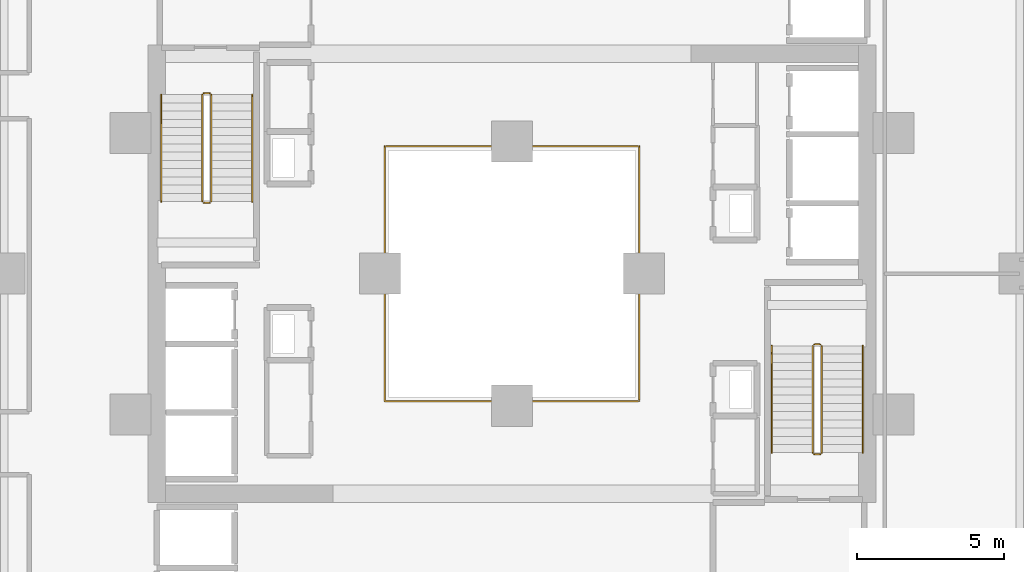
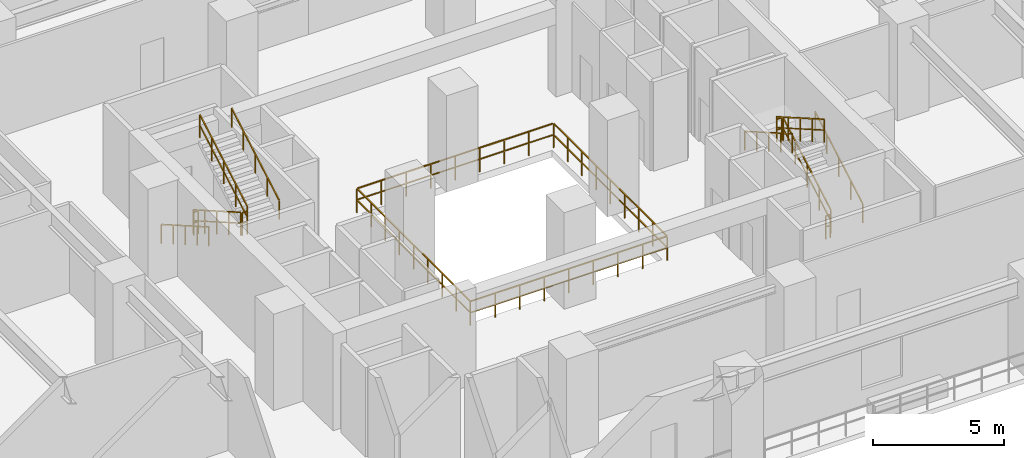
# One storey, part 22 of 22: 13 railings.
"""IFC4 building model written with IfcOpenShell, lengths in metres."""

from ifc_helpers import new_model, si_unit, direction, frame, origin, origin_2d, place, context, subcontext, project, spatial, rectangle, extrude, material, type_object, element, save


model = new_model("IFC4")

# Units and contexts
model_context = context("Model", 3, precision=1e-05, world=origin(), true_north=direction((0.0, 1.0)))
body_context = subcontext(model_context, "Body", "Model", "MODEL_VIEW")
ifc_project = project(units=[si_unit("LENGTHUNIT", "METRE"), si_unit("AREAUNIT", "SQUARE_METRE"), si_unit("VOLUMEUNIT", "CUBIC_METRE"), si_unit("PLANEANGLEUNIT", "RADIAN"), si_unit("MASSUNIT", "GRAM", prefix="KILO")], contexts=[model_context])

# Site, building, storey
site_placement = place(None, origin())
site = spatial("IfcSite", under=ifc_project, at=site_placement, CompositionType="ELEMENT")
building_placement = place(site_placement, origin())
building = spatial("IfcBuilding", under=site, at=building_placement, Name="Thornwick Lancets Civic Towers", CompositionType="ELEMENT")
storey_placement = place(building_placement, frame((0.0, 0.0, 18.60009765625)))
storey = spatial("IfcBuildingStorey", under=building, at=storey_placement, Name="L04", CompositionType="ELEMENT", Elevation=18.60009765625)

# Railings
ifc_material_1 = material(Name="Laminated glass and bronze steel S355", Category="steel")
railing_type_1 = type_object("IfcRailingType", Name="RAIL_ATRIUM_GUARD", PredefinedType="BALUSTRADE", material=ifc_material_1)
railing_1_placement = place(storey_placement, frame((84.159912109375, 22.659912109375, 0.0)))
element("IfcRailing", 1, at=railing_1_placement, inside=storey, type_object=railing_type_1, Name="L04 Tower B Central Atrium Guard Balustrade", PredefinedType="BALUSTRADE", context=body_context, shape_type="SweptSolid", body=[
    extrude(rectangle(XDim=0.048095703125, YDim=0.048095703125, at=origin_2d()), frame((0.0, 0.0, 1.1259765625), z_axis=(1.0, 0.0, 0.0), x_axis=(0.0, 1.0, 0.0)), (0.0, 0.0, 1.0), 8.64892578125),
    extrude(rectangle(XDim=0.0419921875, YDim=0.0419921875, at=origin_2d()), frame((0.03759765625, 0.0, 0.597900390625), z_axis=(1.0, 0.0, 0.0), x_axis=(0.0, 1.0, 0.0)), (0.0, 0.0, 1.0), 1.010009765625),
    extrude(rectangle(XDim=0.0419921875, YDim=0.0419921875, at=origin_2d()), frame((1.12255859375, 0.0, 0.597900390625), z_axis=(1.0, 0.0, 0.0), x_axis=(0.0, 1.0, 0.0)), (0.0, 0.0, 1.0), 1.010009765625),
    extrude(rectangle(XDim=0.0419921875, YDim=0.0419921875, at=origin_2d()), frame((2.20751953125, 0.0, 0.597900390625), z_axis=(1.0, 0.0, 0.0), x_axis=(0.0, 1.0, 0.0)), (0.0, 0.0, 1.0), 1.010009765625),
    extrude(rectangle(XDim=0.0419921875, YDim=0.0419921875, at=origin_2d()), frame((3.29248046875, 0.0, 0.597900390625), z_axis=(1.0, 0.0, 0.0), x_axis=(0.0, 1.0, 0.0)), (0.0, 0.0, 1.0), 1.010009765625),
    extrude(rectangle(XDim=0.0419921875, YDim=0.0419921875, at=origin_2d()), frame((4.377685546875, 0.0, 0.597900390625), z_axis=(1.0, 0.0, 0.0), x_axis=(0.0, 1.0, 0.0)), (0.0, 0.0, 1.0), 1.010009765625),
    extrude(rectangle(XDim=0.0419921875, YDim=0.0419921875, at=origin_2d()), frame((5.462646484375, 0.0, 0.597900390625), z_axis=(1.0, 0.0, 0.0), x_axis=(0.0, 1.0, 0.0)), (0.0, 0.0, 1.0), 1.010009765625),
    extrude(rectangle(XDim=0.0419921875, YDim=0.0419921875, at=origin_2d()), frame((6.547607421875, 0.0, 0.597900390625), z_axis=(1.0, 0.0, 0.0), x_axis=(0.0, 1.0, 0.0)), (0.0, 0.0, 1.0), 1.010009765625),
    extrude(rectangle(XDim=0.0419921875, YDim=0.0419921875, at=origin_2d()), frame((7.632568359375, 0.0, 0.597900390625), z_axis=(1.0, 0.0, 0.0), x_axis=(0.0, 1.0, 0.0)), (0.0, 0.0, 1.0), 1.010009765625),
    extrude(rectangle(XDim=0.048095703125, YDim=0.048095703125, at=origin_2d()), frame((8.68017578125, 0.03125, 1.1259765625), z_axis=(0.0, 1.0, 0.0), x_axis=(-1.0, 0.0, 0.0)), (0.0, 0.0, 1.0), 8.61767578125),
    extrude(rectangle(XDim=0.0419921875, YDim=0.0419921875, at=origin_2d()), frame((8.68017578125, 0.03759765625, 0.597900390625), z_axis=(0.0, 1.0, 0.0), x_axis=(-1.0, 0.0, 0.0)), (0.0, 0.0, 1.0), 1.010009765625),
    extrude(rectangle(XDim=0.0419921875, YDim=0.0419921875, at=origin_2d()), frame((8.68017578125, 1.12255859375, 0.597900390625), z_axis=(0.0, 1.0, 0.0), x_axis=(-1.0, 0.0, 0.0)), (0.0, 0.0, 1.0), 1.010009765625),
    extrude(rectangle(XDim=0.0419921875, YDim=0.0419921875, at=origin_2d()), frame((8.68017578125, 2.20751953125, 0.597900390625), z_axis=(0.0, 1.0, 0.0), x_axis=(-1.0, 0.0, 0.0)), (0.0, 0.0, 1.0), 1.010009765625),
    extrude(rectangle(XDim=0.0419921875, YDim=0.0419921875, at=origin_2d()), frame((8.68017578125, 3.29248046875, 0.597900390625), z_axis=(0.0, 1.0, 0.0), x_axis=(-1.0, 0.0, 0.0)), (0.0, 0.0, 1.0), 1.010009765625),
    extrude(rectangle(XDim=0.0419921875, YDim=0.0419921875, at=origin_2d()), frame((8.68017578125, 4.377685546875, 0.597900390625), z_axis=(0.0, 1.0, 0.0), x_axis=(-1.0, 0.0, 0.0)), (0.0, 0.0, 1.0), 1.010009765625),
    extrude(rectangle(XDim=0.0419921875, YDim=0.0419921875, at=origin_2d()), frame((8.68017578125, 5.462646484375, 0.597900390625), z_axis=(0.0, 1.0, 0.0), x_axis=(-1.0, 0.0, 0.0)), (0.0, 0.0, 1.0), 1.010009765625),
    extrude(rectangle(XDim=0.0419921875, YDim=0.0419921875, at=origin_2d()), frame((8.68017578125, 6.547607421875, 0.597900390625), z_axis=(0.0, 1.0, 0.0), x_axis=(-1.0, 0.0, 0.0)), (0.0, 0.0, 1.0), 1.010009765625),
    extrude(rectangle(XDim=0.0419921875, YDim=0.0419921875, at=origin_2d()), frame((8.68017578125, 7.632568359375, 0.597900390625), z_axis=(0.0, 1.0, 0.0), x_axis=(-1.0, 0.0, 0.0)), (0.0, 0.0, 1.0), 1.010009765625),
    extrude(rectangle(XDim=0.048095703125, YDim=0.048095703125, at=origin_2d()), frame((8.64892578125, 8.68017578125, 1.1259765625), z_axis=(-1.0, 0.0, 0.0), x_axis=(0.0, -1.0, 0.0)), (0.0, 0.0, 1.0), 8.61767578125),
    extrude(rectangle(XDim=0.0419921875, YDim=0.0419921875, at=origin_2d()), frame((8.642578125, 8.68017578125, 0.597900390625), z_axis=(-1.0, 0.0, 0.0), x_axis=(0.0, -1.0, 0.0)), (0.0, 0.0, 1.0), 1.010009765625),
    extrude(rectangle(XDim=0.0419921875, YDim=0.0419921875, at=origin_2d()), frame((7.5576171875, 8.68017578125, 0.597900390625), z_axis=(-1.0, 0.0, 0.0), x_axis=(0.0, -1.0, 0.0)), (0.0, 0.0, 1.0), 1.010009765625),
    extrude(rectangle(XDim=0.0419921875, YDim=0.0419921875, at=origin_2d()), frame((6.47265625, 8.68017578125, 0.597900390625), z_axis=(-1.0, 0.0, 0.0), x_axis=(0.0, -1.0, 0.0)), (0.0, 0.0, 1.0), 1.010009765625),
    extrude(rectangle(XDim=0.0419921875, YDim=0.0419921875, at=origin_2d()), frame((5.3876953125, 8.68017578125, 0.597900390625), z_axis=(-1.0, 0.0, 0.0), x_axis=(0.0, -1.0, 0.0)), (0.0, 0.0, 1.0), 1.010009765625),
    extrude(rectangle(XDim=0.0419921875, YDim=0.0419921875, at=origin_2d()), frame((4.302490234375, 8.68017578125, 0.597900390625), z_axis=(-1.0, 0.0, 0.0), x_axis=(0.0, -1.0, 0.0)), (0.0, 0.0, 1.0), 1.010009765625),
    extrude(rectangle(XDim=0.0419921875, YDim=0.0419921875, at=origin_2d()), frame((3.217529296875, 8.68017578125, 0.597900390625), z_axis=(-1.0, 0.0, 0.0), x_axis=(0.0, -1.0, 0.0)), (0.0, 0.0, 1.0), 1.010009765625),
    extrude(rectangle(XDim=0.0419921875, YDim=0.0419921875, at=origin_2d()), frame((2.132568359375, 8.68017578125, 0.597900390625), z_axis=(-1.0, 0.0, 0.0), x_axis=(0.0, -1.0, 0.0)), (0.0, 0.0, 1.0), 1.010009765625),
    extrude(rectangle(XDim=0.0419921875, YDim=0.0419921875, at=origin_2d()), frame((1.047607421875, 8.68017578125, 0.597900390625), z_axis=(-1.0, 0.0, 0.0), x_axis=(0.0, -1.0, 0.0)), (0.0, 0.0, 1.0), 1.010009765625),
    extrude(rectangle(XDim=0.048095703125, YDim=0.048095703125, at=origin_2d()), frame((0.0, 8.64892578125, 1.1259765625), z_axis=(0.0, -1.0, 0.0), x_axis=(1.0, 0.0, 0.0)), (0.0, 0.0, 1.0), 8.64892578125),
    extrude(rectangle(XDim=0.0419921875, YDim=0.0419921875, at=origin_2d()), frame((0.0, 8.642578125, 0.597900390625), z_axis=(0.0, -1.0, 0.0), x_axis=(1.0, 0.0, 0.0)), (0.0, 0.0, 1.0), 1.010009765625),
    extrude(rectangle(XDim=0.0419921875, YDim=0.0419921875, at=origin_2d()), frame((0.0, 7.5576171875, 0.597900390625), z_axis=(0.0, -1.0, 0.0), x_axis=(1.0, 0.0, 0.0)), (0.0, 0.0, 1.0), 1.010009765625),
    extrude(rectangle(XDim=0.0419921875, YDim=0.0419921875, at=origin_2d()), frame((0.0, 6.47265625, 0.597900390625), z_axis=(0.0, -1.0, 0.0), x_axis=(1.0, 0.0, 0.0)), (0.0, 0.0, 1.0), 1.010009765625),
    extrude(rectangle(XDim=0.0419921875, YDim=0.0419921875, at=origin_2d()), frame((0.0, 5.3876953125, 0.597900390625), z_axis=(0.0, -1.0, 0.0), x_axis=(1.0, 0.0, 0.0)), (0.0, 0.0, 1.0), 1.010009765625),
    extrude(rectangle(XDim=0.0419921875, YDim=0.0419921875, at=origin_2d()), frame((0.0, 4.302490234375, 0.597900390625), z_axis=(0.0, -1.0, 0.0), x_axis=(1.0, 0.0, 0.0)), (0.0, 0.0, 1.0), 1.010009765625),
    extrude(rectangle(XDim=0.0419921875, YDim=0.0419921875, at=origin_2d()), frame((0.0, 3.217529296875, 0.597900390625), z_axis=(0.0, -1.0, 0.0), x_axis=(1.0, 0.0, 0.0)), (0.0, 0.0, 1.0), 1.010009765625),
    extrude(rectangle(XDim=0.0419921875, YDim=0.0419921875, at=origin_2d()), frame((0.0, 2.132568359375, 0.597900390625), z_axis=(0.0, -1.0, 0.0), x_axis=(1.0, 0.0, 0.0)), (0.0, 0.0, 1.0), 1.010009765625),
    extrude(rectangle(XDim=0.0419921875, YDim=0.0419921875, at=origin_2d()), frame((0.0, 1.047607421875, 0.597900390625), z_axis=(0.0, -1.0, 0.0), x_axis=(1.0, 0.0, 0.0)), (0.0, 0.0, 1.0), 1.010009765625),
    extrude(rectangle(XDim=0.0419921875, YDim=0.0419921875, at=origin_2d()), origin(), (0.0, 0.0, 1.0), 1.095703125),
    extrude(rectangle(XDim=0.0419921875, YDim=0.0419921875, at=origin_2d()), frame((1.0849609375, 0.0, 0.0)), (0.0, 0.0, 1.0), 1.095703125),
    extrude(rectangle(XDim=0.0419921875, YDim=0.0419921875, at=origin_2d()), frame((2.169921875, 0.0, 0.0)), (0.0, 0.0, 1.0), 1.095703125),
    extrude(rectangle(XDim=0.0419921875, YDim=0.0419921875, at=origin_2d()), frame((3.255126953125, 0.0, 0.0)), (0.0, 0.0, 1.0), 1.095703125),
    extrude(rectangle(XDim=0.0419921875, YDim=0.0419921875, at=origin_2d()), frame((4.340087890625, 0.0, 0.0)), (0.0, 0.0, 1.0), 1.095703125),
    extrude(rectangle(XDim=0.0419921875, YDim=0.0419921875, at=origin_2d()), frame((5.425048828125, 0.0, 0.0)), (0.0, 0.0, 1.0), 1.095703125),
    extrude(rectangle(XDim=0.0419921875, YDim=0.0419921875, at=origin_2d()), frame((6.51025390625, 0.0, 0.0)), (0.0, 0.0, 1.0), 1.095703125),
    extrude(rectangle(XDim=0.0419921875, YDim=0.0419921875, at=origin_2d()), frame((7.59521484375, 0.0, 0.0)), (0.0, 0.0, 1.0), 1.095703125),
    extrude(rectangle(XDim=0.0419921875, YDim=0.0419921875, at=origin_2d()), frame((8.68017578125, 0.0, 0.0)), (0.0, 0.0, 1.0), 1.095703125),
    extrude(rectangle(XDim=0.0419921875, YDim=0.0419921875, at=origin_2d()), frame((8.68017578125, 1.0849609375, 0.0)), (0.0, 0.0, 1.0), 1.095703125),
    extrude(rectangle(XDim=0.0419921875, YDim=0.0419921875, at=origin_2d()), frame((8.68017578125, 2.169921875, 0.0)), (0.0, 0.0, 1.0), 1.095703125),
    extrude(rectangle(XDim=0.0419921875, YDim=0.0419921875, at=origin_2d()), frame((8.68017578125, 3.255126953125, 0.0)), (0.0, 0.0, 1.0), 1.095703125),
    extrude(rectangle(XDim=0.0419921875, YDim=0.0419921875, at=origin_2d()), frame((8.68017578125, 4.340087890625, 0.0)), (0.0, 0.0, 1.0), 1.095703125),
    extrude(rectangle(XDim=0.0419921875, YDim=0.0419921875, at=origin_2d()), frame((8.68017578125, 5.425048828125, 0.0)), (0.0, 0.0, 1.0), 1.095703125),
    extrude(rectangle(XDim=0.0419921875, YDim=0.0419921875, at=origin_2d()), frame((8.68017578125, 6.51025390625, 0.0)), (0.0, 0.0, 1.0), 1.095703125),
    extrude(rectangle(XDim=0.0419921875, YDim=0.0419921875, at=origin_2d()), frame((8.68017578125, 7.59521484375, 0.0)), (0.0, 0.0, 1.0), 1.095703125),
    extrude(rectangle(XDim=0.0419921875, YDim=0.0419921875, at=origin_2d()), frame((8.68017578125, 8.68017578125, 0.0)), (0.0, 0.0, 1.0), 1.095703125),
    extrude(rectangle(XDim=0.0419921875, YDim=0.0419921875, at=origin_2d()), frame((7.59521484375, 8.68017578125, 0.0)), (0.0, 0.0, 1.0), 1.095703125),
    extrude(rectangle(XDim=0.0419921875, YDim=0.0419921875, at=origin_2d()), frame((6.51025390625, 8.68017578125, 0.0)), (0.0, 0.0, 1.0), 1.095703125),
    extrude(rectangle(XDim=0.0419921875, YDim=0.0419921875, at=origin_2d()), frame((5.425048828125, 8.68017578125, 0.0)), (0.0, 0.0, 1.0), 1.095703125),
    extrude(rectangle(XDim=0.0419921875, YDim=0.0419921875, at=origin_2d()), frame((4.340087890625, 8.68017578125, 0.0)), (0.0, 0.0, 1.0), 1.095703125),
    extrude(rectangle(XDim=0.0419921875, YDim=0.0419921875, at=origin_2d()), frame((3.255126953125, 8.68017578125, 0.0)), (0.0, 0.0, 1.0), 1.095703125),
    extrude(rectangle(XDim=0.0419921875, YDim=0.0419921875, at=origin_2d()), frame((2.169921875, 8.68017578125, 0.0)), (0.0, 0.0, 1.0), 1.095703125),
    extrude(rectangle(XDim=0.0419921875, YDim=0.0419921875, at=origin_2d()), frame((1.0849609375, 8.68017578125, 0.0)), (0.0, 0.0, 1.0), 1.095703125),
    extrude(rectangle(XDim=0.0419921875, YDim=0.0419921875, at=origin_2d()), frame((0.0, 8.68017578125, 0.0)), (0.0, 0.0, 1.0), 1.095703125),
    extrude(rectangle(XDim=0.0419921875, YDim=0.0419921875, at=origin_2d()), frame((0.0, 7.59521484375, 0.0)), (0.0, 0.0, 1.0), 1.095703125),
    extrude(rectangle(XDim=0.0419921875, YDim=0.0419921875, at=origin_2d()), frame((0.0, 6.51025390625, 0.0)), (0.0, 0.0, 1.0), 1.095703125),
    extrude(rectangle(XDim=0.0419921875, YDim=0.0419921875, at=origin_2d()), frame((0.0, 5.425048828125, 0.0)), (0.0, 0.0, 1.0), 1.095703125),
    extrude(rectangle(XDim=0.0419921875, YDim=0.0419921875, at=origin_2d()), frame((0.0, 4.340087890625, 0.0)), (0.0, 0.0, 1.0), 1.095703125),
    extrude(rectangle(XDim=0.0419921875, YDim=0.0419921875, at=origin_2d()), frame((0.0, 3.255126953125, 0.0)), (0.0, 0.0, 1.0), 1.095703125),
    extrude(rectangle(XDim=0.0419921875, YDim=0.0419921875, at=origin_2d()), frame((0.0, 2.169921875, 0.0)), (0.0, 0.0, 1.0), 1.095703125),
    extrude(rectangle(XDim=0.0419921875, YDim=0.0419921875, at=origin_2d()), frame((0.0, 1.0849609375, 0.0)), (0.0, 0.0, 1.0), 1.095703125),
])
ifc_material_2 = material(Name="Brushed stainless steel S355", Category="steel")
railing_type_2 = type_object("IfcRailingType", Name="RAIL_HANDRAIL", PredefinedType="HANDRAIL", material=ifc_material_2)
railing_2_placement = place(storey_placement, frame((100.449951171875, 20.89990234375, 0.16064453125)))
element("IfcRailing", 2, at=railing_2_placement, inside=storey, type_object=railing_type_2, Name="L04 ST-B1 stair handrail 1", PredefinedType="HANDRAIL", context=body_context, shape_type="SweptSolid", body=[
    extrude(rectangle(XDim=0.048095703125, YDim=0.048095703125, at=origin_2d()), frame((0.0, 0.0, 0.8857421875), z_axis=(0.0, 0.867289372828, 0.497804322781), x_axis=(-1.0, 0.0, 0.0)), (0.0, 0.0, 1.0), 4.197021484375),
    extrude(rectangle(XDim=0.0419921875, YDim=0.0419921875, at=origin_2d()), origin(), (0.0, 0.0, 1.0), 0.855712890625),
    extrude(rectangle(XDim=0.0419921875, YDim=0.0419921875, at=origin_2d()), frame((0.0, 0.91015625, 0.5224609375)), (0.0, 0.0, 1.0), 0.855712890625),
    extrude(rectangle(XDim=0.0419921875, YDim=0.0419921875, at=origin_2d()), frame((0.0, 1.820068359375, 1.044677734375)), (0.0, 0.0, 1.0), 0.855712890625),
    extrude(rectangle(XDim=0.0419921875, YDim=0.0419921875, at=origin_2d()), frame((0.0, 2.72998046875, 1.56689453125)), (0.0, 0.0, 1.0), 0.855712890625),
    extrude(rectangle(XDim=0.0419921875, YDim=0.0419921875, at=origin_2d()), frame((0.0, 3.64013671875, 2.08935546875)), (0.0, 0.0, 1.0), 0.855712890625),
])
for number, where, name in (
    (3, (97.35009765625, 24.5400390625, 2.41064453125), "L04 ST-B1 stair handrail 2"),
    (4, (76.550048828125, 33.10009765625, 0.16064453125), "L04 ST-B2 stair handrail 1"),
):
    element("IfcRailing", number, at=place(storey_placement, frame(where)), inside=storey, type_object=railing_type_2, Name=name, PredefinedType="HANDRAIL", context=body_context, shape_type="SweptSolid", body=[
        extrude(rectangle(XDim=0.048095703125, YDim=0.048095703125, at=origin_2d()), frame((0.0, 0.0, 0.8857421875), z_axis=(0.0, -0.867289372828, 0.497804322781), x_axis=(1.0, 0.0, 0.0)), (0.0, 0.0, 1.0), 4.197021484375),
        extrude(rectangle(XDim=0.0419921875, YDim=0.0419921875, at=origin_2d()), origin(), (0.0, 0.0, 1.0), 0.855712890625),
        extrude(rectangle(XDim=0.0419921875, YDim=0.0419921875, at=origin_2d()), frame((0.0, -0.91015625, 0.5224609375)), (0.0, 0.0, 1.0), 0.855712890625),
        extrude(rectangle(XDim=0.0419921875, YDim=0.0419921875, at=origin_2d()), frame((0.0, -1.820068359375, 1.044677734375)), (0.0, 0.0, 1.0), 0.855712890625),
        extrude(rectangle(XDim=0.0419921875, YDim=0.0419921875, at=origin_2d()), frame((0.0, -2.72998046875, 1.56689453125)), (0.0, 0.0, 1.0), 0.855712890625),
        extrude(rectangle(XDim=0.0419921875, YDim=0.0419921875, at=origin_2d()), frame((0.0, -3.64013671875, 2.08935546875)), (0.0, 0.0, 1.0), 0.855712890625),
    ])
railing_3_placement = place(storey_placement, frame((79.64990234375, 29.4599609375, 2.41064453125)))
element("IfcRailing", 5, at=railing_3_placement, inside=storey, type_object=railing_type_2, Name="L04 ST-B2 stair handrail 2", PredefinedType="HANDRAIL", context=body_context, shape_type="SweptSolid", body=[
    extrude(rectangle(XDim=0.048095703125, YDim=0.048095703125, at=origin_2d()), frame((0.0, 0.0, 0.8857421875), z_axis=(0.0, 0.867289372828, 0.497804322781), x_axis=(-1.0, 0.0, 0.0)), (0.0, 0.0, 1.0), 4.197021484375),
    extrude(rectangle(XDim=0.0419921875, YDim=0.0419921875, at=origin_2d()), origin(), (0.0, 0.0, 1.0), 0.855712890625),
    extrude(rectangle(XDim=0.0419921875, YDim=0.0419921875, at=origin_2d()), frame((0.0, 0.91015625, 0.5224609375)), (0.0, 0.0, 1.0), 0.855712890625),
    extrude(rectangle(XDim=0.0419921875, YDim=0.0419921875, at=origin_2d()), frame((0.0, 1.820068359375, 1.044677734375)), (0.0, 0.0, 1.0), 0.855712890625),
    extrude(rectangle(XDim=0.0419921875, YDim=0.0419921875, at=origin_2d()), frame((0.0, 2.72998046875, 1.56689453125)), (0.0, 0.0, 1.0), 0.855712890625),
    extrude(rectangle(XDim=0.0419921875, YDim=0.0419921875, at=origin_2d()), frame((0.0, 3.64013671875, 2.08935546875)), (0.0, 0.0, 1.0), 0.855712890625),
])
ifc_material_3 = material(Name="Steel S355JR", Category="steel")
railing_type_3 = type_object("IfcRailingType", Name="RAIL_STAIR_GUARD", PredefinedType="GUARDRAIL", material=ifc_material_3)
railing_4_placement = place(storey_placement, frame((99.050048828125, 20.89990234375, 0.16064453125)))
element("IfcRailing", 6, at=railing_4_placement, inside=storey, type_object=railing_type_3, Name="L04 ST-B1 stair guard 1", PredefinedType="GUARDRAIL", context=body_context, shape_type="SweptSolid", body=[
    extrude(rectangle(XDim=0.048095703125, YDim=0.048095703125, at=origin_2d()), frame((0.0, 0.0, 1.076171875), z_axis=(0.0, 0.867289372828, 0.497804322781), x_axis=(-1.0, 0.0, 0.0)), (0.0, 0.0, 1.0), 4.197021484375),
    extrude(rectangle(XDim=0.0419921875, YDim=0.0419921875, at=origin_2d()), frame((0.0, 0.032470703125, 0.5908203125), z_axis=(0.0, 0.867289372828, 0.497804322781), x_axis=(-1.0, 0.0, 0.0)), (0.0, 0.0, 1.0), 0.974365234375),
    extrude(rectangle(XDim=0.0419921875, YDim=0.0419921875, at=origin_2d()), frame((0.0, 0.942626953125, 1.113037109375), z_axis=(0.0, 0.867289372828, 0.497804322781), x_axis=(-1.0, 0.0, 0.0)), (0.0, 0.0, 1.0), 0.974365234375),
    extrude(rectangle(XDim=0.0419921875, YDim=0.0419921875, at=origin_2d()), frame((0.0, 1.8525390625, 1.635498046875), z_axis=(0.0, 0.867289372828, 0.497804322781), x_axis=(-1.0, 0.0, 0.0)), (0.0, 0.0, 1.0), 0.974365234375),
    extrude(rectangle(XDim=0.0419921875, YDim=0.0419921875, at=origin_2d()), frame((0.0, 2.7626953125, 2.15771484375), z_axis=(0.0, 0.867289372828, 0.497804322781), x_axis=(-1.0, 0.0, 0.0)), (0.0, 0.0, 1.0), 0.974365234375),
    extrude(rectangle(XDim=0.0419921875, YDim=0.0419921875, at=origin_2d()), origin(), (0.0, 0.0, 1.0), 1.0458984375),
    extrude(rectangle(XDim=0.0419921875, YDim=0.0419921875, at=origin_2d()), frame((0.0, 0.91015625, 0.5224609375)), (0.0, 0.0, 1.0), 1.0458984375),
    extrude(rectangle(XDim=0.0419921875, YDim=0.0419921875, at=origin_2d()), frame((0.0, 1.820068359375, 1.044677734375)), (0.0, 0.0, 1.0), 1.0458984375),
    extrude(rectangle(XDim=0.0419921875, YDim=0.0419921875, at=origin_2d()), frame((0.0, 2.72998046875, 1.56689453125)), (0.0, 0.0, 1.0), 1.0458984375),
    extrude(rectangle(XDim=0.0419921875, YDim=0.0419921875, at=origin_2d()), frame((0.0, 3.64013671875, 2.08935546875)), (0.0, 0.0, 1.0), 1.0458984375),
])
railing_5_placement = place(storey_placement, frame((99.0, 24.590087890625, 2.25)))
element("IfcRailing", 7, at=railing_5_placement, inside=storey, type_object=railing_type_3, Name="L04 ST-B1 stair guard 2", PredefinedType="GUARDRAIL", context=body_context, shape_type="SweptSolid", body=[
    extrude(rectangle(XDim=0.048095703125, YDim=0.048095703125, at=origin_2d()), frame((0.0, 0.0, 1.076171875), z_axis=(-1.0, 0.0, 0.0), x_axis=(0.0, -1.0, 0.0)), (0.0, 0.0, 1.0), 0.199951171875),
    extrude(rectangle(XDim=0.0419921875, YDim=0.0419921875, at=origin_2d()), frame((-0.03759765625, 0.0, 0.572021484375), z_axis=(-1.0, 0.0, 0.0), x_axis=(0.0, -1.0, 0.0)), (0.0, 0.0, 1.0), 0.125),
    extrude(rectangle(XDim=0.0419921875, YDim=0.0419921875, at=origin_2d()), origin(), (0.0, 0.0, 1.0), 1.0458984375),
    extrude(rectangle(XDim=0.0419921875, YDim=0.0419921875, at=origin_2d()), frame((-0.199951171875, 0.0, 0.0)), (0.0, 0.0, 1.0), 1.0458984375),
])
railing_6_placement = place(storey_placement, frame((98.75, 24.5400390625, 2.41064453125)))
element("IfcRailing", 8, at=railing_6_placement, inside=storey, type_object=railing_type_3, Name="L04 ST-B1 stair guard 3", PredefinedType="GUARDRAIL", context=body_context, shape_type="SweptSolid", body=[
    extrude(rectangle(XDim=0.048095703125, YDim=0.048095703125, at=origin_2d()), frame((0.0, 0.0, 1.076171875), z_axis=(0.0, -0.867289372828, 0.497804322781), x_axis=(1.0, 0.0, 0.0)), (0.0, 0.0, 1.0), 4.197021484375),
    extrude(rectangle(XDim=0.0419921875, YDim=0.0419921875, at=origin_2d()), frame((0.0, -0.032470703125, 0.5908203125), z_axis=(0.0, -0.867289372828, 0.497804322781), x_axis=(1.0, 0.0, 0.0)), (0.0, 0.0, 1.0), 0.974365234375),
    extrude(rectangle(XDim=0.0419921875, YDim=0.0419921875, at=origin_2d()), frame((0.0, -0.942626953125, 1.113037109375), z_axis=(0.0, -0.867289372828, 0.497804322781), x_axis=(1.0, 0.0, 0.0)), (0.0, 0.0, 1.0), 0.974365234375),
    extrude(rectangle(XDim=0.0419921875, YDim=0.0419921875, at=origin_2d()), frame((0.0, -1.8525390625, 1.635498046875), z_axis=(0.0, -0.867289372828, 0.497804322781), x_axis=(1.0, 0.0, 0.0)), (0.0, 0.0, 1.0), 0.974365234375),
    extrude(rectangle(XDim=0.0419921875, YDim=0.0419921875, at=origin_2d()), frame((0.0, -2.7626953125, 2.15771484375), z_axis=(0.0, -0.867289372828, 0.497804322781), x_axis=(1.0, 0.0, 0.0)), (0.0, 0.0, 1.0), 0.974365234375),
    extrude(rectangle(XDim=0.0419921875, YDim=0.0419921875, at=origin_2d()), origin(), (0.0, 0.0, 1.0), 1.0458984375),
    extrude(rectangle(XDim=0.0419921875, YDim=0.0419921875, at=origin_2d()), frame((0.0, -0.91015625, 0.5224609375)), (0.0, 0.0, 1.0), 1.0458984375),
    extrude(rectangle(XDim=0.0419921875, YDim=0.0419921875, at=origin_2d()), frame((0.0, -1.820068359375, 1.044677734375)), (0.0, 0.0, 1.0), 1.0458984375),
    extrude(rectangle(XDim=0.0419921875, YDim=0.0419921875, at=origin_2d()), frame((0.0, -2.72998046875, 1.56689453125)), (0.0, 0.0, 1.0), 1.0458984375),
    extrude(rectangle(XDim=0.0419921875, YDim=0.0419921875, at=origin_2d()), frame((0.0, -3.64013671875, 2.08935546875)), (0.0, 0.0, 1.0), 1.0458984375),
])
railing_7_placement = place(storey_placement, frame((99.0, 20.85009765625, 0.0)))
element("IfcRailing", 9, at=railing_7_placement, inside=storey, type_object=railing_type_3, Name="L04 ST-B1 stair guard 4", PredefinedType="GUARDRAIL", context=body_context, shape_type="SweptSolid", body=[
    extrude(rectangle(XDim=0.048095703125, YDim=0.048095703125, at=origin_2d()), frame((0.0, 0.0, 1.076171875), z_axis=(-1.0, 0.0, 0.0), x_axis=(0.0, -1.0, 0.0)), (0.0, 0.0, 1.0), 0.199951171875),
    extrude(rectangle(XDim=0.0419921875, YDim=0.0419921875, at=origin_2d()), frame((-0.03759765625, 0.0, 0.572021484375), z_axis=(-1.0, 0.0, 0.0), x_axis=(0.0, -1.0, 0.0)), (0.0, 0.0, 1.0), 0.125),
    extrude(rectangle(XDim=0.0419921875, YDim=0.0419921875, at=origin_2d()), origin(), (0.0, 0.0, 1.0), 1.0458984375),
    extrude(rectangle(XDim=0.0419921875, YDim=0.0419921875, at=origin_2d()), frame((-0.199951171875, 0.0, 0.0)), (0.0, 0.0, 1.0), 1.0458984375),
])
railing_8_placement = place(storey_placement, frame((77.949951171875, 33.10009765625, 0.16064453125)))
element("IfcRailing", 10, at=railing_8_placement, inside=storey, type_object=railing_type_3, Name="L04 ST-B2 stair guard 1", PredefinedType="GUARDRAIL", context=body_context, shape_type="SweptSolid", body=[
    extrude(rectangle(XDim=0.048095703125, YDim=0.048095703125, at=origin_2d()), frame((0.0, 0.0, 1.076171875), z_axis=(0.0, -0.867289372828, 0.497804322781), x_axis=(1.0, 0.0, 0.0)), (0.0, 0.0, 1.0), 4.197021484375),
    extrude(rectangle(XDim=0.0419921875, YDim=0.0419921875, at=origin_2d()), frame((0.0, -0.032470703125, 0.5908203125), z_axis=(0.0, -0.867289372828, 0.497804322781), x_axis=(1.0, 0.0, 0.0)), (0.0, 0.0, 1.0), 0.974365234375),
    extrude(rectangle(XDim=0.0419921875, YDim=0.0419921875, at=origin_2d()), frame((0.0, -0.942626953125, 1.113037109375), z_axis=(0.0, -0.867289372828, 0.497804322781), x_axis=(1.0, 0.0, 0.0)), (0.0, 0.0, 1.0), 0.974365234375),
    extrude(rectangle(XDim=0.0419921875, YDim=0.0419921875, at=origin_2d()), frame((0.0, -1.8525390625, 1.635498046875), z_axis=(0.0, -0.867289372828, 0.497804322781), x_axis=(1.0, 0.0, 0.0)), (0.0, 0.0, 1.0), 0.974365234375),
    extrude(rectangle(XDim=0.0419921875, YDim=0.0419921875, at=origin_2d()), frame((0.0, -2.7626953125, 2.15771484375), z_axis=(0.0, -0.867289372828, 0.497804322781), x_axis=(1.0, 0.0, 0.0)), (0.0, 0.0, 1.0), 0.974365234375),
    extrude(rectangle(XDim=0.0419921875, YDim=0.0419921875, at=origin_2d()), origin(), (0.0, 0.0, 1.0), 1.0458984375),
    extrude(rectangle(XDim=0.0419921875, YDim=0.0419921875, at=origin_2d()), frame((0.0, -0.91015625, 0.5224609375)), (0.0, 0.0, 1.0), 1.0458984375),
    extrude(rectangle(XDim=0.0419921875, YDim=0.0419921875, at=origin_2d()), frame((0.0, -1.820068359375, 1.044677734375)), (0.0, 0.0, 1.0), 1.0458984375),
    extrude(rectangle(XDim=0.0419921875, YDim=0.0419921875, at=origin_2d()), frame((0.0, -2.72998046875, 1.56689453125)), (0.0, 0.0, 1.0), 1.0458984375),
    extrude(rectangle(XDim=0.0419921875, YDim=0.0419921875, at=origin_2d()), frame((0.0, -3.64013671875, 2.08935546875)), (0.0, 0.0, 1.0), 1.0458984375),
])
railing_9_placement = place(storey_placement, frame((78.0, 29.409912109375, 2.25)))
element("IfcRailing", 11, at=railing_9_placement, inside=storey, type_object=railing_type_3, Name="L04 ST-B2 stair guard 2", PredefinedType="GUARDRAIL", context=body_context, shape_type="SweptSolid", body=[
    extrude(rectangle(XDim=0.048095703125, YDim=0.048095703125, at=origin_2d()), frame((0.0, 0.0, 1.076171875), z_axis=(1.0, 0.0, 0.0), x_axis=(0.0, 1.0, 0.0)), (0.0, 0.0, 1.0), 0.199951171875),
    extrude(rectangle(XDim=0.0419921875, YDim=0.0419921875, at=origin_2d()), frame((0.03759765625, 0.0, 0.572021484375), z_axis=(1.0, 0.0, 0.0), x_axis=(0.0, 1.0, 0.0)), (0.0, 0.0, 1.0), 0.125),
    extrude(rectangle(XDim=0.0419921875, YDim=0.0419921875, at=origin_2d()), origin(), (0.0, 0.0, 1.0), 1.0458984375),
    extrude(rectangle(XDim=0.0419921875, YDim=0.0419921875, at=origin_2d()), frame((0.199951171875, 0.0, 0.0)), (0.0, 0.0, 1.0), 1.0458984375),
])
railing_10_placement = place(storey_placement, frame((78.25, 29.4599609375, 2.41064453125)))
element("IfcRailing", 12, at=railing_10_placement, inside=storey, type_object=railing_type_3, Name="L04 ST-B2 stair guard 3", PredefinedType="GUARDRAIL", context=body_context, shape_type="SweptSolid", body=[
    extrude(rectangle(XDim=0.048095703125, YDim=0.048095703125, at=origin_2d()), frame((0.0, 0.0, 1.076171875), z_axis=(0.0, 0.867289372828, 0.497804322781), x_axis=(-1.0, 0.0, 0.0)), (0.0, 0.0, 1.0), 4.197021484375),
    extrude(rectangle(XDim=0.0419921875, YDim=0.0419921875, at=origin_2d()), frame((0.0, 0.032470703125, 0.5908203125), z_axis=(0.0, 0.867289372828, 0.497804322781), x_axis=(-1.0, 0.0, 0.0)), (0.0, 0.0, 1.0), 0.974365234375),
    extrude(rectangle(XDim=0.0419921875, YDim=0.0419921875, at=origin_2d()), frame((0.0, 0.942626953125, 1.113037109375), z_axis=(0.0, 0.867289372828, 0.497804322781), x_axis=(-1.0, 0.0, 0.0)), (0.0, 0.0, 1.0), 0.974365234375),
    extrude(rectangle(XDim=0.0419921875, YDim=0.0419921875, at=origin_2d()), frame((0.0, 1.8525390625, 1.635498046875), z_axis=(0.0, 0.867289372828, 0.497804322781), x_axis=(-1.0, 0.0, 0.0)), (0.0, 0.0, 1.0), 0.974365234375),
    extrude(rectangle(XDim=0.0419921875, YDim=0.0419921875, at=origin_2d()), frame((0.0, 2.7626953125, 2.15771484375), z_axis=(0.0, 0.867289372828, 0.497804322781), x_axis=(-1.0, 0.0, 0.0)), (0.0, 0.0, 1.0), 0.974365234375),
    extrude(rectangle(XDim=0.0419921875, YDim=0.0419921875, at=origin_2d()), origin(), (0.0, 0.0, 1.0), 1.0458984375),
    extrude(rectangle(XDim=0.0419921875, YDim=0.0419921875, at=origin_2d()), frame((0.0, 0.91015625, 0.5224609375)), (0.0, 0.0, 1.0), 1.0458984375),
    extrude(rectangle(XDim=0.0419921875, YDim=0.0419921875, at=origin_2d()), frame((0.0, 1.820068359375, 1.044677734375)), (0.0, 0.0, 1.0), 1.0458984375),
    extrude(rectangle(XDim=0.0419921875, YDim=0.0419921875, at=origin_2d()), frame((0.0, 2.72998046875, 1.56689453125)), (0.0, 0.0, 1.0), 1.0458984375),
    extrude(rectangle(XDim=0.0419921875, YDim=0.0419921875, at=origin_2d()), frame((0.0, 3.64013671875, 2.08935546875)), (0.0, 0.0, 1.0), 1.0458984375),
])
railing_11_placement = place(storey_placement, frame((78.0, 33.14990234375, 0.0)))
element("IfcRailing", 13, at=railing_11_placement, inside=storey, type_object=railing_type_3, Name="L04 ST-B2 stair guard 4", PredefinedType="GUARDRAIL", context=body_context, shape_type="SweptSolid", body=[
    extrude(rectangle(XDim=0.048095703125, YDim=0.048095703125, at=origin_2d()), frame((0.0, 0.0, 1.076171875), z_axis=(1.0, 0.0, 0.0), x_axis=(0.0, 1.0, 0.0)), (0.0, 0.0, 1.0), 0.199951171875),
    extrude(rectangle(XDim=0.0419921875, YDim=0.0419921875, at=origin_2d()), frame((0.03759765625, 0.0, 0.572021484375), z_axis=(1.0, 0.0, 0.0), x_axis=(0.0, 1.0, 0.0)), (0.0, 0.0, 1.0), 0.125),
    extrude(rectangle(XDim=0.0419921875, YDim=0.0419921875, at=origin_2d()), origin(), (0.0, 0.0, 1.0), 1.0458984375),
    extrude(rectangle(XDim=0.0419921875, YDim=0.0419921875, at=origin_2d()), frame((0.199951171875, 0.0, 0.0)), (0.0, 0.0, 1.0), 1.0458984375),
])

save(model, "model.ifc")
